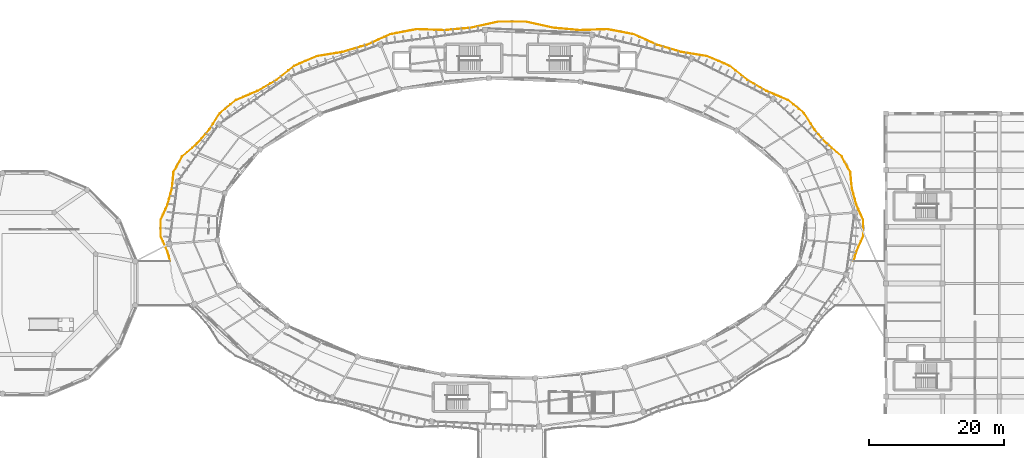
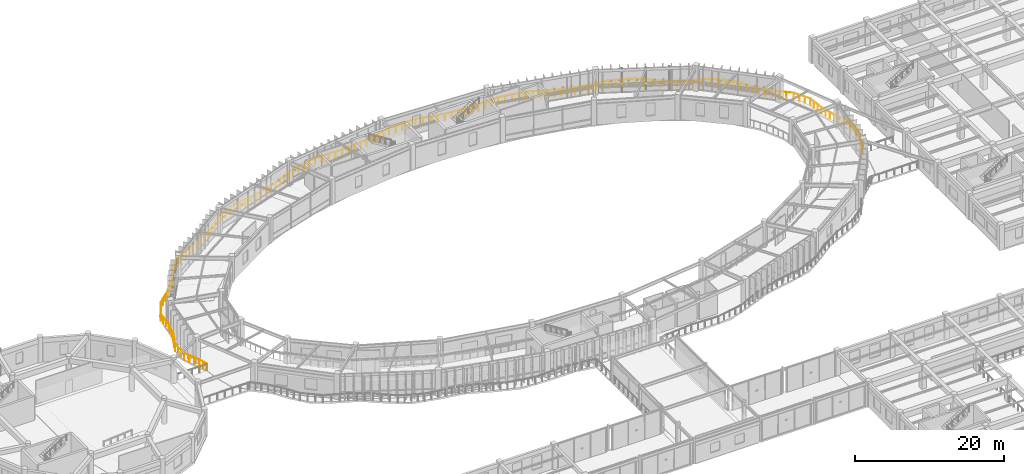
# One storey, part 146 of 152: 1 railing.
"""IFC4 building model written with IfcOpenShell, lengths in metres."""

from ifc_helpers import new_model, si_unit, direction, frame, origin, origin_2d, place, context, subcontext, project, spatial, circle, extrude, material, type_object, element, save


model = new_model("IFC4")

# Units and contexts
model_context = context("Model", 3, precision=1e-05, world=origin(), true_north=direction((0.0, 1.0)))
body_context = subcontext(model_context, "Body", "Model", "MODEL_VIEW")
ifc_project = project(units=[si_unit("LENGTHUNIT", "METRE"), si_unit("AREAUNIT", "SQUARE_METRE"), si_unit("VOLUMEUNIT", "CUBIC_METRE"), si_unit("PLANEANGLEUNIT", "RADIAN"), si_unit("MASSUNIT", "GRAM", prefix="KILO"), si_unit("THERMODYNAMICTEMPERATUREUNIT", "KELVIN"), si_unit("POWERUNIT", "WATT")], contexts=[model_context])

# Site, building, storey
site_placement = place(None, origin())
site = spatial("IfcSite", under=ifc_project, at=site_placement, CompositionType="ELEMENT")
building_placement = place(site_placement, origin())
building = spatial("IfcBuilding", under=site, at=building_placement, Name="Darbajah Civic Hall", CompositionType="ELEMENT")
storey_placement = place(building_placement, frame((0.0, 0.0, 5.39990234375)))
storey = spatial("IfcBuildingStorey", under=building, at=storey_placement, Name="L01", CompositionType="ELEMENT", Elevation=5.39990234375)

# Railing
ifc_material = material(Name="Anodised Bronze Aluminium and Laminated Safety Glass", Category="aluminium")
railing_type = type_object("IfcRailingType", Name="Exterior Terrace Balustrade Guard", PredefinedType="BALUSTRADE", material=ifc_material)
railing_placement = place(storey_placement, frame((139.804443359375, 84.8798828125, 0.0)))
element("IfcRailing", 1, at=railing_placement, inside=storey, type_object=railing_type, Name="L01 oval slab edge balustrade 3", PredefinedType="BALUSTRADE", context=body_context, shape_type="SweptSolid", body=[
    extrude(circle(Radius=0.02392578125, at=origin_2d()), frame((0.007080078125, 0.0263671875, 1.09619140625), z_axis=(0.262560874618, 0.964915430035, 0.0), x_axis=(-0.964915430035, 0.262560874618, 0.0)), (0.0, 0.0, 1.0), 1.39306640625),
    extrude(circle(Radius=0.02392578125, at=origin_2d()), frame((0.391357421875, 1.421875, 1.09619140625), z_axis=(0.407262673079, 0.913311072481, 0.0), x_axis=(-0.913311072481, 0.407262673079, 0.0)), (0.0, 0.0, 1.0), 2.483642578125),
    extrude(circle(Radius=0.02392578125, at=origin_2d()), frame((1.413818359375, 3.742431640625, 1.09619140625), z_axis=(0.0, 1.0, 0.0), x_axis=(-1.0, 0.0, 0.0)), (0.0, 0.0, 1.0), 2.355224609375),
    extrude(circle(Radius=0.02392578125, at=origin_2d()), frame((1.402587890625, 6.14990234375, 1.09619140625), z_axis=(-0.407262673079, 0.913311072481, 0.0), x_axis=(-0.913311072481, -0.407262673079, 0.0)), (0.0, 0.0, 1.0), 2.483642578125),
    extrude(circle(Radius=0.02392578125, at=origin_2d()), frame((0.373046875, 8.469482421875, 1.09619140625), z_axis=(-0.262560017195, 0.964915663346, 0.0), x_axis=(-0.964915663346, -0.262560017195, 0.0)), (0.0, 0.0, 1.0), 2.354736328125),
    extrude(circle(Radius=0.02392578125, at=origin_2d()), frame((-0.255126953125, 10.794921875, 1.09619140625), z_axis=(-0.101634207366, 0.994821837262, 0.0), x_axis=(-0.994821837262, -0.101634207366, 0.0)), (0.0, 0.0, 1.0), 2.441162109375),
    extrude(circle(Radius=0.02392578125, at=origin_2d()), frame((-0.519287109375, 13.274658203125, 1.09619140625), z_axis=(-0.48382895978, 0.875162577855, 0.0), x_axis=(-0.875162577855, -0.48382895978, 0.0)), (0.0, 0.0, 1.0), 2.563720703125),
    extrude(circle(Radius=0.02392578125, at=origin_2d()), frame((-1.79345703125, 15.56005859375, 1.09619140625), z_axis=(-0.755384750866, 0.65528152588, 0.0), x_axis=(-0.65528152588, -0.755384750866, 0.0)), (0.0, 0.0, 1.0), 2.88427734375),
    extrude(circle(Radius=0.02392578125, at=origin_2d()), frame((-4.010986328125, 17.488525390625, 1.09619140625), z_axis=(-0.658672085853, 0.752430118561, 0.0), x_axis=(-0.752430118561, -0.658672085853, 0.0)), (0.0, 0.0, 1.0), 2.731689453125),
    extrude(circle(Radius=0.02392578125, at=origin_2d()), frame((-5.8427734375, 19.587646484375, 1.09619140625), z_axis=(-0.533469294506, 0.84581943216, 0.0), x_axis=(-0.84581943216, -0.533469294506, 0.0)), (0.0, 0.0, 1.0), 2.787353515625),
    extrude(circle(Radius=0.02392578125, at=origin_2d()), frame((-7.365478515625, 21.9853515625, 1.09619140625), z_axis=(-0.777536569392, 0.628837724105, 0.0), x_axis=(-0.628837724105, -0.777536569392, 0.0)), (0.0, 0.0, 1.0), 3.04345703125),
    extrude(circle(Radius=0.02392578125, at=origin_2d()), frame((-9.7783203125, 23.927001953125, 1.09619140625), z_axis=(-0.921446662815, 0.388504887469, 0.0), x_axis=(-0.388504887469, -0.921446662815, 0.0)), (0.0, 0.0, 1.0), 3.405517578125),
    extrude(circle(Radius=0.02392578125, at=origin_2d()), frame((-12.965087890625, 25.2744140625, 1.09619140625), z_axis=(-0.864437033864, 0.50274110085, 0.0), x_axis=(-0.50274110085, -0.864437033864, 0.0)), (0.0, 0.0, 1.0), 3.25146484375),
    extrude(circle(Radius=0.02392578125, at=origin_2d()), frame((-15.82080078125, 26.93994140625, 1.09619140625), z_axis=(-0.782907709031, 0.622137861844, 0.0), x_axis=(-0.622137861844, -0.782907709031, 0.0)), (0.0, 0.0, 1.0), 3.302978515625),
    extrude(circle(Radius=0.02392578125, at=origin_2d()), frame((-18.453125, 29.0224609375, 1.09619140625), z_axis=(-0.919827076972, 0.39232403504, 0.0), x_axis=(-0.39232403504, -0.919827076972, 0.0)), (0.0, 0.0, 1.0), 3.548583984375),
    extrude(circle(Radius=0.02392578125, at=origin_2d()), frame((-21.76904296875, 30.4296875, 1.09619140625), z_axis=(-0.986804194617, 0.161918132048, 0.0), x_axis=(-0.161918132048, -0.986804194617, 0.0)), (0.0, 0.0, 1.0), 3.840087890625),
    extrude(circle(Radius=0.02392578125, at=origin_2d()), frame((-25.611572265625, 31.063720703125, 1.09619140625), z_axis=(-0.958858466682, 0.283884555536, 0.0), x_axis=(-0.283884555536, -0.958858466682, 0.0)), (0.0, 0.0, 1.0), 3.698486328125),
    extrude(circle(Radius=0.02392578125, at=origin_2d()), frame((-29.208984375, 32.132568359375, 1.09619140625), z_axis=(-0.911666586506, 0.410930693728, 0.0), x_axis=(-0.410930693728, -0.911666586506, 0.0)), (0.0, 0.0, 1.0), 3.764892578125),
    extrude(circle(Radius=0.02392578125, at=origin_2d()), frame((-32.693115234375, 33.696044921875, 1.09619140625), z_axis=(-0.982342340666, 0.187092292023, 0.0), x_axis=(-0.187092292023, -0.982342340666, 0.0)), (0.0, 0.0, 1.0), 3.908447265625),
    extrude(circle(Radius=0.02392578125, at=origin_2d()), frame((-36.586669921875, 34.431396484375, 1.09619140625), z_axis=(-0.999395472358, -0.034766216799, 0.0), x_axis=(0.034766216799, -0.999395472358, 0.0)), (0.0, 0.0, 1.0), 4.067626953125),
    extrude(circle(Radius=0.02392578125, at=origin_2d()), frame((-40.7060546875, 34.29150390625, 1.09619140625), z_axis=(-0.995810799169, 0.091437696046, 0.0), x_axis=(-0.091437696046, -0.995810799169, 0.0)), (0.0, 0.0, 1.0), 3.94775390625),
    extrude(circle(Radius=0.02392578125, at=origin_2d()), frame((-44.691162109375, 34.6611328125, 1.09619140625), z_axis=(-0.975535958146, 0.219839928958, 0.0), x_axis=(-0.219839928958, -0.975535958146, 0.0)), (0.0, 0.0, 1.0), 4.0400390625),
    extrude(circle(Radius=0.02392578125, at=origin_2d()), frame((-48.686279296875, 35.55517578125, 1.09619140625), z_axis=(-1.0, 0.0, 0.0), x_axis=(0.0, -1.0, 0.0)), (0.0, 0.0, 1.0), 4.036376953125),
    extrude(circle(Radius=0.02392578125, at=origin_2d()), frame((-52.776611328125, 35.549072265625, 1.09619140625), z_axis=(-0.975533076209, -0.219852717114, 0.0), x_axis=(0.219852717114, -0.975533076209, 0.0)), (0.0, 0.0, 1.0), 4.039794921875),
    extrude(circle(Radius=0.02392578125, at=origin_2d()), frame((-56.771240234375, 34.652587890625, 1.09619140625), z_axis=(-0.995811309127, -0.091432142128, 0.0), x_axis=(0.091432142128, -0.995811309127, 0.0)), (0.0, 0.0, 1.0), 3.947998046875),
    extrude(circle(Radius=0.02392578125, at=origin_2d()), frame((-60.75732421875, 34.2900390625, 1.09619140625), z_axis=(-0.999395400765, 0.034768274773, 0.0), x_axis=(-0.034768274773, -0.999395400765, 0.0)), (0.0, 0.0, 1.0), 4.0673828125),
    extrude(circle(Radius=0.02392578125, at=origin_2d()), frame((-64.876220703125, 34.42724609375, 1.09619140625), z_axis=(-0.982342340666, -0.187092292023, 0.0), x_axis=(0.187092292023, -0.982342340666, 0.0)), (0.0, 0.0, 1.0), 3.908447265625),
    extrude(circle(Radius=0.02392578125, at=origin_2d()), frame((-68.767333984375, 33.6796875, 1.09619140625), z_axis=(-0.911677379063, -0.410906749159, 0.0), x_axis=(0.410906749159, -0.911677379063, 0.0)), (0.0, 0.0, 1.0), 3.76513671875),
    extrude(circle(Radius=0.02392578125, at=origin_2d()), frame((-72.2509765625, 32.113525390625, 1.09619140625), z_axis=(-0.958858466682, -0.283884555536, 0.0), x_axis=(0.283884555536, -0.958858466682, 0.0)), (0.0, 0.0, 1.0), 3.698486328125),
    extrude(circle(Radius=0.02392578125, at=origin_2d()), frame((-75.850341796875, 31.051513671875, 1.09619140625), z_axis=(-0.986804194617, -0.161918132048, 0.0), x_axis=(0.161918132048, -0.986804194617, 0.0)), (0.0, 0.0, 1.0), 3.840087890625),
    extrude(circle(Radius=0.02392578125, at=origin_2d()), frame((-79.69189453125, 30.41455078125, 1.09619140625), z_axis=(-0.919827076972, -0.39232403504, 0.0), x_axis=(0.39232403504, -0.919827076972, 0.0)), (0.0, 0.0, 1.0), 3.548583984375),
    extrude(circle(Radius=0.02392578125, at=origin_2d()), frame((-83.00244140625, 28.99462890625, 1.09619140625), z_axis=(-0.782907709031, -0.622137861844, 0.0), x_axis=(0.622137861844, -0.782907709031, 0.0)), (0.0, 0.0, 1.0), 3.302978515625),
    extrude(circle(Radius=0.02392578125, at=origin_2d()), frame((-85.63330078125, 26.9091796875, 1.09619140625), z_axis=(-0.864437033864, -0.50274110085, 0.0), x_axis=(0.50274110085, -0.864437033864, 0.0)), (0.0, 0.0, 1.0), 3.25146484375),
    extrude(circle(Radius=0.02392578125, at=origin_2d()), frame((-88.49267578125, 25.250244140625, 1.09619140625), z_axis=(-0.921446662815, -0.388504887469, 0.0), x_axis=(0.388504887469, -0.921446662815, 0.0)), (0.0, 0.0, 1.0), 3.405517578125),
    extrude(circle(Radius=0.02392578125, at=origin_2d()), frame((-91.677001953125, 23.8994140625, 1.09619140625), z_axis=(-0.777536569392, -0.628837724105, 0.0), x_axis=(0.628837724105, -0.777536569392, 0.0)), (0.0, 0.0, 1.0), 3.04345703125),
    extrude(circle(Radius=0.02392578125, at=origin_2d()), frame((-94.079345703125, 21.945068359375, 1.09619140625), z_axis=(-0.533407833029, -0.84585819359, 0.0), x_axis=(0.84585819359, -0.533407833029, 0.0)), (0.0, 0.0, 1.0), 2.787353515625),
    extrude(circle(Radius=0.02392578125, at=origin_2d()), frame((-95.5986328125, 19.5439453125, 1.09619140625), z_axis=(-0.658721690168, -0.752386692401, 0.0), x_axis=(0.752386692401, -0.658721690168, 0.0)), (0.0, 0.0, 1.0), 2.731689453125),
    extrude(circle(Radius=0.02392578125, at=origin_2d()), frame((-97.4365234375, 17.4501953125, 1.09619140625), z_axis=(-0.755384750866, -0.65528152588, 0.0), x_axis=(0.65528152588, -0.755384750866, 0.0)), (0.0, 0.0, 1.0), 2.88427734375),
    extrude(circle(Radius=0.02392578125, at=origin_2d()), frame((-99.649169921875, 15.518310546875, 1.09619140625), z_axis=(-0.48382895978, -0.875162577855, 0.0), x_axis=(0.875162577855, -0.48382895978, 0.0)), (0.0, 0.0, 1.0), 2.563720703125),
    extrude(circle(Radius=0.02392578125, at=origin_2d()), frame((-100.905517578125, 13.2236328125, 1.09619140625), z_axis=(-0.101634207366, -0.994821837262, 0.0), x_axis=(0.994821837262, -0.101634207366, 0.0)), (0.0, 0.0, 1.0), 2.441162109375),
    extrude(circle(Radius=0.02392578125, at=origin_2d()), frame((-101.16357421875, 10.741455078125, 1.09619140625), z_axis=(-0.262560017195, -0.964915663346, 0.0), x_axis=(0.964915663346, -0.262560017195, 0.0)), (0.0, 0.0, 1.0), 2.354736328125),
    extrude(circle(Radius=0.02392578125, at=origin_2d()), frame((-101.80029296875, 8.418212890625, 1.09619140625), z_axis=(-0.407262673079, -0.913311072481, 0.0), x_axis=(0.913311072481, -0.407262673079, 0.0)), (0.0, 0.0, 1.0), 2.483642578125),
    extrude(circle(Radius=0.02392578125, at=origin_2d()), frame((-102.82275390625, 6.09765625, 1.09619140625), z_axis=(0.0, -1.0, 0.0), x_axis=(1.0, 0.0, 0.0)), (0.0, 0.0, 1.0), 2.355224609375),
    extrude(circle(Radius=0.02392578125, at=origin_2d()), frame((-102.8115234375, 3.690185546875, 1.09619140625), z_axis=(0.407262673079, -0.913311072481, 0.0), x_axis=(0.913311072481, 0.407262673079, 0.0)), (0.0, 0.0, 1.0), 2.483642578125),
    extrude(circle(Radius=0.02392578125, at=origin_2d()), frame((-101.781982421875, 1.37060546875, 1.09619140625), z_axis=(0.262560874618, -0.964915430035, 0.0), x_axis=(0.964915430035, 0.262560874618, 0.0)), (0.0, 0.0, 1.0), 1.39306640625),
    extrude(circle(Radius=0.02099609375, at=origin_2d()), origin(), (0.0, 0.0, 1.0), 1.068115234375),
    extrude(circle(Radius=0.02099609375, at=origin_2d()), frame((0.18994140625, 0.698486328125, 0.0)), (0.0, 0.0, 1.0), 1.068115234375),
    extrude(circle(Radius=0.02099609375, at=origin_2d()), frame((0.380126953125, 1.39697265625, 0.0)), (0.0, 0.0, 1.0), 1.068115234375),
    extrude(circle(Radius=0.02099609375, at=origin_2d()), frame((0.724609375, 2.169677734375, 0.0)), (0.0, 0.0, 1.0), 1.068115234375),
    extrude(circle(Radius=0.02099609375, at=origin_2d()), frame((1.0693359375, 2.9423828125, 0.0)), (0.0, 0.0, 1.0), 1.068115234375),
    extrude(circle(Radius=0.02099609375, at=origin_2d()), frame((1.413818359375, 3.715087890625, 0.0)), (0.0, 0.0, 1.0), 1.068115234375),
    extrude(circle(Radius=0.02099609375, at=origin_2d()), frame((1.413818359375, 4.518310546875, 0.0)), (0.0, 0.0, 1.0), 1.068115234375),
    extrude(circle(Radius=0.02099609375, at=origin_2d()), frame((1.413818359375, 5.32177734375, 0.0)), (0.0, 0.0, 1.0), 1.068115234375),
    extrude(circle(Radius=0.02099609375, at=origin_2d()), frame((1.413818359375, 6.125, 0.0)), (0.0, 0.0, 1.0), 1.068115234375),
    extrude(circle(Radius=0.02099609375, at=origin_2d()), frame((1.0693359375, 6.897705078125, 0.0)), (0.0, 0.0, 1.0), 1.068115234375),
    extrude(circle(Radius=0.02099609375, at=origin_2d()), frame((0.724609375, 7.67041015625, 0.0)), (0.0, 0.0, 1.0), 1.068115234375),
    extrude(circle(Radius=0.02099609375, at=origin_2d()), frame((0.380126953125, 8.443115234375, 0.0)), (0.0, 0.0, 1.0), 1.068115234375),
    extrude(circle(Radius=0.02099609375, at=origin_2d()), frame((0.169189453125, 9.218017578125, 0.0)), (0.0, 0.0, 1.0), 1.068115234375),
    extrude(circle(Radius=0.02099609375, at=origin_2d()), frame((-0.04150390625, 9.992919921875, 0.0)), (0.0, 0.0, 1.0), 1.068115234375),
    extrude(circle(Radius=0.02099609375, at=origin_2d()), frame((-0.25244140625, 10.767822265625, 0.0)), (0.0, 0.0, 1.0), 1.068115234375),
    extrude(circle(Radius=0.02099609375, at=origin_2d()), frame((-0.3369140625, 11.595458984375, 0.0)), (0.0, 0.0, 1.0), 1.068115234375),
    extrude(circle(Radius=0.02099609375, at=origin_2d()), frame((-0.421630859375, 12.423095703125, 0.0)), (0.0, 0.0, 1.0), 1.068115234375),
    extrude(circle(Radius=0.02099609375, at=origin_2d()), frame((-0.506103515625, 13.250732421875, 0.0)), (0.0, 0.0, 1.0), 1.068115234375),
    extrude(circle(Radius=0.02099609375, at=origin_2d()), frame((-0.928466796875, 14.0146484375, 0.0)), (0.0, 0.0, 1.0), 1.068115234375),
    extrude(circle(Radius=0.02099609375, at=origin_2d()), frame((-1.3505859375, 14.7783203125, 0.0)), (0.0, 0.0, 1.0), 1.068115234375),
    extrude(circle(Radius=0.02099609375, at=origin_2d()), frame((-1.77294921875, 15.542236328125, 0.0)), (0.0, 0.0, 1.0), 1.068115234375),
    extrude(circle(Radius=0.02099609375, at=origin_2d()), frame((-2.512939453125, 16.18408203125, 0.0)), (0.0, 0.0, 1.0), 1.068115234375),
    extrude(circle(Radius=0.02099609375, at=origin_2d()), frame((-3.2529296875, 16.826171875, 0.0)), (0.0, 0.0, 1.0), 1.068115234375),
    extrude(circle(Radius=0.02099609375, at=origin_2d()), frame((-3.992919921875, 17.468017578125, 0.0)), (0.0, 0.0, 1.0), 1.068115234375),
    extrude(circle(Radius=0.02099609375, at=origin_2d()), frame((-4.604736328125, 18.166748046875, 0.0)), (0.0, 0.0, 1.0), 1.068115234375),
    extrude(circle(Radius=0.02099609375, at=origin_2d()), frame((-5.21630859375, 18.86572265625, 0.0)), (0.0, 0.0, 1.0), 1.068115234375),
    extrude(circle(Radius=0.02099609375, at=origin_2d()), frame((-5.828125, 19.564453125, 0.0)), (0.0, 0.0, 1.0), 1.068115234375),
    extrude(circle(Radius=0.02099609375, at=origin_2d()), frame((-6.33349609375, 20.36572265625, 0.0)), (0.0, 0.0, 1.0), 1.068115234375),
    extrude(circle(Radius=0.02099609375, at=origin_2d()), frame((-6.8388671875, 21.1669921875, 0.0)), (0.0, 0.0, 1.0), 1.068115234375),
    extrude(circle(Radius=0.02099609375, at=origin_2d()), frame((-7.34423828125, 21.96826171875, 0.0)), (0.0, 0.0, 1.0), 1.068115234375),
    extrude(circle(Radius=0.02099609375, at=origin_2d()), frame((-8.147216796875, 22.61767578125, 0.0)), (0.0, 0.0, 1.0), 1.068115234375),
    extrude(circle(Radius=0.02099609375, at=origin_2d()), frame((-8.9501953125, 23.26708984375, 0.0)), (0.0, 0.0, 1.0), 1.068115234375),
    extrude(circle(Radius=0.02099609375, at=origin_2d()), frame((-9.753173828125, 23.91650390625, 0.0)), (0.0, 0.0, 1.0), 1.068115234375),
    extrude(circle(Radius=0.02099609375, at=origin_2d()), frame((-10.81591796875, 24.364501953125, 0.0)), (0.0, 0.0, 1.0), 1.068115234375),
    extrude(circle(Radius=0.02099609375, at=origin_2d()), frame((-11.878662109375, 24.812744140625, 0.0)), (0.0, 0.0, 1.0), 1.068115234375),
    extrude(circle(Radius=0.02099609375, at=origin_2d()), frame((-12.94140625, 25.2607421875, 0.0)), (0.0, 0.0, 1.0), 1.068115234375),
    extrude(circle(Radius=0.02099609375, at=origin_2d()), frame((-13.89404296875, 25.814697265625, 0.0)), (0.0, 0.0, 1.0), 1.068115234375),
    extrude(circle(Radius=0.02099609375, at=origin_2d()), frame((-14.8466796875, 26.368896484375, 0.0)), (0.0, 0.0, 1.0), 1.068115234375),
    extrude(circle(Radius=0.02099609375, at=origin_2d()), frame((-15.79931640625, 26.9228515625, 0.0)), (0.0, 0.0, 1.0), 1.068115234375),
    extrude(circle(Radius=0.02099609375, at=origin_2d()), frame((-16.675537109375, 27.619140625, 0.0)), (0.0, 0.0, 1.0), 1.068115234375),
    extrude(circle(Radius=0.02099609375, at=origin_2d()), frame((-17.5517578125, 28.3154296875, 0.0)), (0.0, 0.0, 1.0), 1.068115234375),
    extrude(circle(Radius=0.02099609375, at=origin_2d()), frame((-18.427978515625, 29.01171875, 0.0)), (0.0, 0.0, 1.0), 1.068115234375),
    extrude(circle(Radius=0.02099609375, at=origin_2d()), frame((-19.256591796875, 29.365234375, 0.0)), (0.0, 0.0, 1.0), 1.068115234375),
    extrude(circle(Radius=0.02099609375, at=origin_2d()), frame((-20.0849609375, 29.718505859375, 0.0)), (0.0, 0.0, 1.0), 1.068115234375),
    extrude(circle(Radius=0.02099609375, at=origin_2d()), frame((-20.91357421875, 30.07177734375, 0.0)), (0.0, 0.0, 1.0), 1.068115234375),
    extrude(circle(Radius=0.02099609375, at=origin_2d()), frame((-21.7421875, 30.42529296875, 0.0)), (0.0, 0.0, 1.0), 1.068115234375),
    extrude(circle(Radius=0.02099609375, at=origin_2d()), frame((-22.703125, 30.5830078125, 0.0)), (0.0, 0.0, 1.0), 1.068115234375),
    extrude(circle(Radius=0.02099609375, at=origin_2d()), frame((-23.663818359375, 30.74072265625, 0.0)), (0.0, 0.0, 1.0), 1.068115234375),
    extrude(circle(Radius=0.02099609375, at=origin_2d()), frame((-24.62451171875, 30.898193359375, 0.0)), (0.0, 0.0, 1.0), 1.068115234375),
    extrude(circle(Radius=0.02099609375, at=origin_2d()), frame((-25.58544921875, 31.055908203125, 0.0)), (0.0, 0.0, 1.0), 1.068115234375),
    extrude(circle(Radius=0.02099609375, at=origin_2d()), frame((-26.485107421875, 31.322265625, 0.0)), (0.0, 0.0, 1.0), 1.068115234375),
    extrude(circle(Radius=0.02099609375, at=origin_2d()), frame((-27.384765625, 31.588623046875, 0.0)), (0.0, 0.0, 1.0), 1.068115234375),
    extrude(circle(Radius=0.02099609375, at=origin_2d()), frame((-28.284423828125, 31.85498046875, 0.0)), (0.0, 0.0, 1.0), 1.068115234375),
    extrude(circle(Radius=0.02099609375, at=origin_2d()), frame((-29.18408203125, 32.121337890625, 0.0)), (0.0, 0.0, 1.0), 1.068115234375),
    extrude(circle(Radius=0.02099609375, at=origin_2d()), frame((-30.0546875, 32.513671875, 0.0)), (0.0, 0.0, 1.0), 1.068115234375),
    extrude(circle(Radius=0.02099609375, at=origin_2d()), frame((-30.92529296875, 32.90625, 0.0)), (0.0, 0.0, 1.0), 1.068115234375),
    extrude(circle(Radius=0.02099609375, at=origin_2d()), frame((-31.795654296875, 33.298583984375, 0.0)), (0.0, 0.0, 1.0), 1.068115234375),
    extrude(circle(Radius=0.02099609375, at=origin_2d()), frame((-32.666259765625, 33.69091796875, 0.0)), (0.0, 0.0, 1.0), 1.068115234375),
    extrude(circle(Radius=0.02099609375, at=origin_2d()), frame((-33.6396484375, 33.876220703125, 0.0)), (0.0, 0.0, 1.0), 1.068115234375),
    extrude(circle(Radius=0.02099609375, at=origin_2d()), frame((-34.61279296875, 34.0615234375, 0.0)), (0.0, 0.0, 1.0), 1.068115234375),
    extrude(circle(Radius=0.02099609375, at=origin_2d()), frame((-35.5859375, 34.2470703125, 0.0)), (0.0, 0.0, 1.0), 1.068115234375),
    extrude(circle(Radius=0.02099609375, at=origin_2d()), frame((-36.559326171875, 34.432373046875, 0.0)), (0.0, 0.0, 1.0), 1.068115234375),
    extrude(circle(Radius=0.02099609375, at=origin_2d()), frame((-37.58935546875, 34.396484375, 0.0)), (0.0, 0.0, 1.0), 1.068115234375),
    extrude(circle(Radius=0.02099609375, at=origin_2d()), frame((-38.619140625, 34.36083984375, 0.0)), (0.0, 0.0, 1.0), 1.068115234375),
    extrude(circle(Radius=0.02099609375, at=origin_2d()), frame((-39.64892578125, 34.324951171875, 0.0)), (0.0, 0.0, 1.0), 1.068115234375),
    extrude(circle(Radius=0.02099609375, at=origin_2d()), frame((-40.678955078125, 34.2890625, 0.0)), (0.0, 0.0, 1.0), 1.068115234375),
    extrude(circle(Radius=0.02099609375, at=origin_2d()), frame((-41.67529296875, 34.380615234375, 0.0)), (0.0, 0.0, 1.0), 1.068115234375),
    extrude(circle(Radius=0.02099609375, at=origin_2d()), frame((-42.671875, 34.47216796875, 0.0)), (0.0, 0.0, 1.0), 1.068115234375),
    extrude(circle(Radius=0.02099609375, at=origin_2d()), frame((-43.668212890625, 34.5634765625, 0.0)), (0.0, 0.0, 1.0), 1.068115234375),
    extrude(circle(Radius=0.02099609375, at=origin_2d()), frame((-44.66455078125, 34.655029296875, 0.0)), (0.0, 0.0, 1.0), 1.068115234375),
    extrude(circle(Radius=0.02099609375, at=origin_2d()), frame((-45.6630859375, 34.880126953125, 0.0)), (0.0, 0.0, 1.0), 1.068115234375),
    extrude(circle(Radius=0.02099609375, at=origin_2d()), frame((-46.66162109375, 35.10498046875, 0.0)), (0.0, 0.0, 1.0), 1.068115234375),
    extrude(circle(Radius=0.02099609375, at=origin_2d()), frame((-47.660400390625, 35.330078125, 0.0)), (0.0, 0.0, 1.0), 1.068115234375),
    extrude(circle(Radius=0.02099609375, at=origin_2d()), frame((-48.658935546875, 35.55517578125, 0.0)), (0.0, 0.0, 1.0), 1.068115234375),
    extrude(circle(Radius=0.02099609375, at=origin_2d()), frame((-49.681640625, 35.55517578125, 0.0)), (0.0, 0.0, 1.0), 1.068115234375),
    extrude(circle(Radius=0.02099609375, at=origin_2d()), frame((-50.70458984375, 35.55517578125, 0.0)), (0.0, 0.0, 1.0), 1.068115234375),
    extrude(circle(Radius=0.02099609375, at=origin_2d()), frame((-51.727294921875, 35.55517578125, 0.0)), (0.0, 0.0, 1.0), 1.068115234375),
    extrude(circle(Radius=0.02099609375, at=origin_2d()), frame((-52.75, 35.55517578125, 0.0)), (0.0, 0.0, 1.0), 1.068115234375),
    extrude(circle(Radius=0.02099609375, at=origin_2d()), frame((-53.74853515625, 35.330078125, 0.0)), (0.0, 0.0, 1.0), 1.068115234375),
    extrude(circle(Radius=0.02099609375, at=origin_2d()), frame((-54.7470703125, 35.10498046875, 0.0)), (0.0, 0.0, 1.0), 1.068115234375),
    extrude(circle(Radius=0.02099609375, at=origin_2d()), frame((-55.74560546875, 34.880126953125, 0.0)), (0.0, 0.0, 1.0), 1.068115234375),
    extrude(circle(Radius=0.02099609375, at=origin_2d()), frame((-56.744140625, 34.655029296875, 0.0)), (0.0, 0.0, 1.0), 1.068115234375),
    extrude(circle(Radius=0.02099609375, at=origin_2d()), frame((-57.74072265625, 34.5634765625, 0.0)), (0.0, 0.0, 1.0), 1.068115234375),
    extrude(circle(Radius=0.02099609375, at=origin_2d()), frame((-58.737060546875, 34.47216796875, 0.0)), (0.0, 0.0, 1.0), 1.068115234375),
    extrude(circle(Radius=0.02099609375, at=origin_2d()), frame((-59.7333984375, 34.380615234375, 0.0)), (0.0, 0.0, 1.0), 1.068115234375),
    extrude(circle(Radius=0.02099609375, at=origin_2d()), frame((-60.72998046875, 34.2890625, 0.0)), (0.0, 0.0, 1.0), 1.068115234375),
    extrude(circle(Radius=0.02099609375, at=origin_2d()), frame((-61.759765625, 34.324951171875, 0.0)), (0.0, 0.0, 1.0), 1.068115234375),
    extrude(circle(Radius=0.02099609375, at=origin_2d()), frame((-62.78955078125, 34.36083984375, 0.0)), (0.0, 0.0, 1.0), 1.068115234375),
    extrude(circle(Radius=0.02099609375, at=origin_2d()), frame((-63.819580078125, 34.396484375, 0.0)), (0.0, 0.0, 1.0), 1.068115234375),
    extrude(circle(Radius=0.02099609375, at=origin_2d()), frame((-64.849365234375, 34.432373046875, 0.0)), (0.0, 0.0, 1.0), 1.068115234375),
    extrude(circle(Radius=0.02099609375, at=origin_2d()), frame((-65.82275390625, 34.2470703125, 0.0)), (0.0, 0.0, 1.0), 1.068115234375),
    extrude(circle(Radius=0.02099609375, at=origin_2d()), frame((-66.7958984375, 34.0615234375, 0.0)), (0.0, 0.0, 1.0), 1.068115234375),
    extrude(circle(Radius=0.02099609375, at=origin_2d()), frame((-67.76904296875, 33.876220703125, 0.0)), (0.0, 0.0, 1.0), 1.068115234375),
    extrude(circle(Radius=0.02099609375, at=origin_2d()), frame((-68.742431640625, 33.69091796875, 0.0)), (0.0, 0.0, 1.0), 1.068115234375),
    extrude(circle(Radius=0.02099609375, at=origin_2d()), frame((-69.613037109375, 33.298583984375, 0.0)), (0.0, 0.0, 1.0), 1.068115234375),
    extrude(circle(Radius=0.02099609375, at=origin_2d()), frame((-70.483642578125, 32.90625, 0.0)), (0.0, 0.0, 1.0), 1.068115234375),
    extrude(circle(Radius=0.02099609375, at=origin_2d()), frame((-71.354248046875, 32.513671875, 0.0)), (0.0, 0.0, 1.0), 1.068115234375),
    extrude(circle(Radius=0.02099609375, at=origin_2d()), frame((-72.224853515625, 32.121337890625, 0.0)), (0.0, 0.0, 1.0), 1.068115234375),
    extrude(circle(Radius=0.02099609375, at=origin_2d()), frame((-73.12451171875, 31.85498046875, 0.0)), (0.0, 0.0, 1.0), 1.068115234375),
    extrude(circle(Radius=0.02099609375, at=origin_2d()), frame((-74.024169921875, 31.588623046875, 0.0)), (0.0, 0.0, 1.0), 1.068115234375),
    extrude(circle(Radius=0.02099609375, at=origin_2d()), frame((-74.923828125, 31.322265625, 0.0)), (0.0, 0.0, 1.0), 1.068115234375),
    extrude(circle(Radius=0.02099609375, at=origin_2d()), frame((-75.823486328125, 31.055908203125, 0.0)), (0.0, 0.0, 1.0), 1.068115234375),
    extrude(circle(Radius=0.02099609375, at=origin_2d()), frame((-76.7841796875, 30.898193359375, 0.0)), (0.0, 0.0, 1.0), 1.068115234375),
    extrude(circle(Radius=0.02099609375, at=origin_2d()), frame((-77.7451171875, 30.74072265625, 0.0)), (0.0, 0.0, 1.0), 1.068115234375),
    extrude(circle(Radius=0.02099609375, at=origin_2d()), frame((-78.7060546875, 30.5830078125, 0.0)), (0.0, 0.0, 1.0), 1.068115234375),
    extrude(circle(Radius=0.02099609375, at=origin_2d()), frame((-79.666748046875, 30.42529296875, 0.0)), (0.0, 0.0, 1.0), 1.068115234375),
    extrude(circle(Radius=0.02099609375, at=origin_2d()), frame((-80.495361328125, 30.07177734375, 0.0)), (0.0, 0.0, 1.0), 1.068115234375),
    extrude(circle(Radius=0.02099609375, at=origin_2d()), frame((-81.32373046875, 29.718505859375, 0.0)), (0.0, 0.0, 1.0), 1.068115234375),
    extrude(circle(Radius=0.02099609375, at=origin_2d()), frame((-82.15234375, 29.365234375, 0.0)), (0.0, 0.0, 1.0), 1.068115234375),
    extrude(circle(Radius=0.02099609375, at=origin_2d()), frame((-82.98095703125, 29.01171875, 0.0)), (0.0, 0.0, 1.0), 1.068115234375),
    extrude(circle(Radius=0.02099609375, at=origin_2d()), frame((-83.857177734375, 28.3154296875, 0.0)), (0.0, 0.0, 1.0), 1.068115234375),
    extrude(circle(Radius=0.02099609375, at=origin_2d()), frame((-84.7333984375, 27.619140625, 0.0)), (0.0, 0.0, 1.0), 1.068115234375),
    extrude(circle(Radius=0.02099609375, at=origin_2d()), frame((-85.609619140625, 26.9228515625, 0.0)), (0.0, 0.0, 1.0), 1.068115234375),
    extrude(circle(Radius=0.02099609375, at=origin_2d()), frame((-86.562255859375, 26.368896484375, 0.0)), (0.0, 0.0, 1.0), 1.068115234375),
    extrude(circle(Radius=0.02099609375, at=origin_2d()), frame((-87.514892578125, 25.814697265625, 0.0)), (0.0, 0.0, 1.0), 1.068115234375),
    extrude(circle(Radius=0.02099609375, at=origin_2d()), frame((-88.467529296875, 25.2607421875, 0.0)), (0.0, 0.0, 1.0), 1.068115234375),
    extrude(circle(Radius=0.02099609375, at=origin_2d()), frame((-89.5302734375, 24.812744140625, 0.0)), (0.0, 0.0, 1.0), 1.068115234375),
    extrude(circle(Radius=0.02099609375, at=origin_2d()), frame((-90.593017578125, 24.364501953125, 0.0)), (0.0, 0.0, 1.0), 1.068115234375),
    extrude(circle(Radius=0.02099609375, at=origin_2d()), frame((-91.65576171875, 23.91650390625, 0.0)), (0.0, 0.0, 1.0), 1.068115234375),
    extrude(circle(Radius=0.02099609375, at=origin_2d()), frame((-92.458740234375, 23.26708984375, 0.0)), (0.0, 0.0, 1.0), 1.068115234375),
    extrude(circle(Radius=0.02099609375, at=origin_2d()), frame((-93.26171875, 22.61767578125, 0.0)), (0.0, 0.0, 1.0), 1.068115234375),
    extrude(circle(Radius=0.02099609375, at=origin_2d()), frame((-94.064697265625, 21.96826171875, 0.0)), (0.0, 0.0, 1.0), 1.068115234375),
    extrude(circle(Radius=0.02099609375, at=origin_2d()), frame((-94.570068359375, 21.1669921875, 0.0)), (0.0, 0.0, 1.0), 1.068115234375),
    extrude(circle(Radius=0.02099609375, at=origin_2d()), frame((-95.0751953125, 20.36572265625, 0.0)), (0.0, 0.0, 1.0), 1.068115234375),
    extrude(circle(Radius=0.02099609375, at=origin_2d()), frame((-95.58056640625, 19.564453125, 0.0)), (0.0, 0.0, 1.0), 1.068115234375),
    extrude(circle(Radius=0.02099609375, at=origin_2d()), frame((-96.1923828125, 18.86572265625, 0.0)), (0.0, 0.0, 1.0), 1.068115234375),
    extrude(circle(Radius=0.02099609375, at=origin_2d()), frame((-96.80419921875, 18.166748046875, 0.0)), (0.0, 0.0, 1.0), 1.068115234375),
    extrude(circle(Radius=0.02099609375, at=origin_2d()), frame((-97.416015625, 17.468017578125, 0.0)), (0.0, 0.0, 1.0), 1.068115234375),
    extrude(circle(Radius=0.02099609375, at=origin_2d()), frame((-98.156005859375, 16.826171875, 0.0)), (0.0, 0.0, 1.0), 1.068115234375),
    extrude(circle(Radius=0.02099609375, at=origin_2d()), frame((-98.89599609375, 16.18408203125, 0.0)), (0.0, 0.0, 1.0), 1.068115234375),
    extrude(circle(Radius=0.02099609375, at=origin_2d()), frame((-99.635986328125, 15.542236328125, 0.0)), (0.0, 0.0, 1.0), 1.068115234375),
    extrude(circle(Radius=0.02099609375, at=origin_2d()), frame((-100.058349609375, 14.7783203125, 0.0)), (0.0, 0.0, 1.0), 1.068115234375),
    extrude(circle(Radius=0.02099609375, at=origin_2d()), frame((-100.48046875, 14.0146484375, 0.0)), (0.0, 0.0, 1.0), 1.068115234375),
    extrude(circle(Radius=0.02099609375, at=origin_2d()), frame((-100.90283203125, 13.250732421875, 0.0)), (0.0, 0.0, 1.0), 1.068115234375),
    extrude(circle(Radius=0.02099609375, at=origin_2d()), frame((-100.9873046875, 12.423095703125, 0.0)), (0.0, 0.0, 1.0), 1.068115234375),
    extrude(circle(Radius=0.02099609375, at=origin_2d()), frame((-101.072021484375, 11.595458984375, 0.0)), (0.0, 0.0, 1.0), 1.068115234375),
    extrude(circle(Radius=0.02099609375, at=origin_2d()), frame((-101.156494140625, 10.767822265625, 0.0)), (0.0, 0.0, 1.0), 1.068115234375),
    extrude(circle(Radius=0.02099609375, at=origin_2d()), frame((-101.367431640625, 9.992919921875, 0.0)), (0.0, 0.0, 1.0), 1.068115234375),
    extrude(circle(Radius=0.02099609375, at=origin_2d()), frame((-101.578125, 9.218017578125, 0.0)), (0.0, 0.0, 1.0), 1.068115234375),
    extrude(circle(Radius=0.02099609375, at=origin_2d()), frame((-101.7890625, 8.443115234375, 0.0)), (0.0, 0.0, 1.0), 1.068115234375),
    extrude(circle(Radius=0.02099609375, at=origin_2d()), frame((-102.133544921875, 7.67041015625, 0.0)), (0.0, 0.0, 1.0), 1.068115234375),
    extrude(circle(Radius=0.02099609375, at=origin_2d()), frame((-102.478271484375, 6.897705078125, 0.0)), (0.0, 0.0, 1.0), 1.068115234375),
    extrude(circle(Radius=0.02099609375, at=origin_2d()), frame((-102.82275390625, 6.125, 0.0)), (0.0, 0.0, 1.0), 1.068115234375),
    extrude(circle(Radius=0.02099609375, at=origin_2d()), frame((-102.82275390625, 5.32177734375, 0.0)), (0.0, 0.0, 1.0), 1.068115234375),
    extrude(circle(Radius=0.02099609375, at=origin_2d()), frame((-102.82275390625, 4.518310546875, 0.0)), (0.0, 0.0, 1.0), 1.068115234375),
    extrude(circle(Radius=0.02099609375, at=origin_2d()), frame((-102.82275390625, 3.715087890625, 0.0)), (0.0, 0.0, 1.0), 1.068115234375),
    extrude(circle(Radius=0.02099609375, at=origin_2d()), frame((-102.478271484375, 2.9423828125, 0.0)), (0.0, 0.0, 1.0), 1.068115234375),
    extrude(circle(Radius=0.02099609375, at=origin_2d()), frame((-102.133544921875, 2.169677734375, 0.0)), (0.0, 0.0, 1.0), 1.068115234375),
    extrude(circle(Radius=0.02099609375, at=origin_2d()), frame((-101.7890625, 1.39697265625, 0.0)), (0.0, 0.0, 1.0), 1.068115234375),
    extrude(circle(Radius=0.02099609375, at=origin_2d()), frame((-101.59912109375, 0.698486328125, 0.0)), (0.0, 0.0, 1.0), 1.068115234375),
    extrude(circle(Radius=0.02099609375, at=origin_2d()), frame((-101.408935546875, 0.0, 0.0)), (0.0, 0.0, 1.0), 1.068115234375),
])

save(model, "model.ifc")
